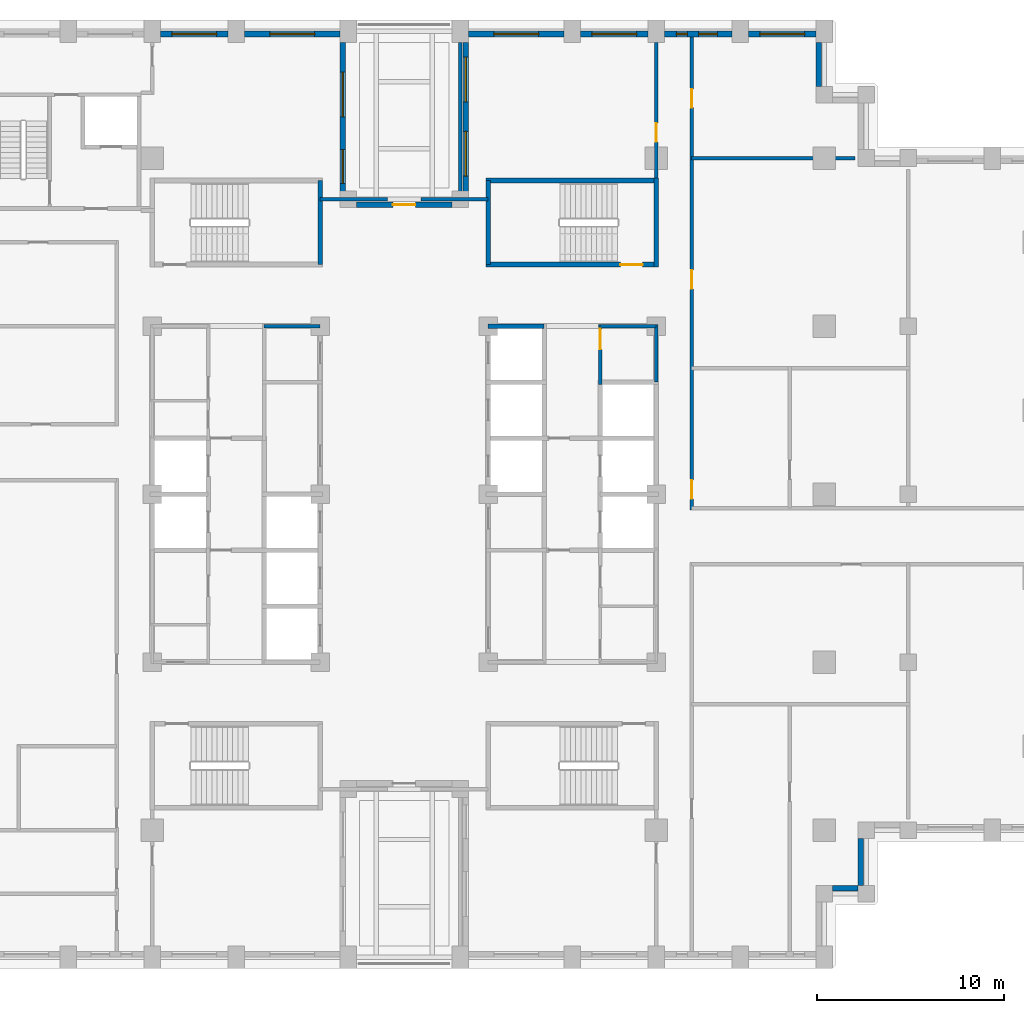
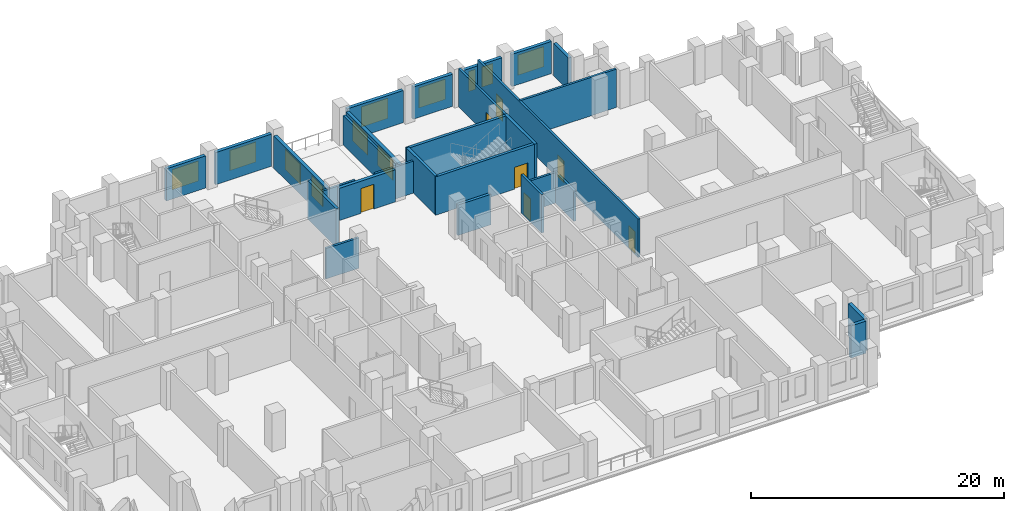
# One storey, part 8 of 13: 28 walls, 11 windows, 7 doors, 18 openings.
"""IFC4 building model written with IfcOpenShell, lengths in metres."""

from ifc_helpers import new_model, si_unit, direction, frame, frame_2d, origin, place, context, subcontext, project, spatial, rectangle, extrude, material, layer, layer_set, type_object, element, fill, save


model = new_model("IFC4")

# Units and contexts
model_context = context("Model", 3, precision=1e-05, world=origin(), true_north=direction((0.0, 1.0)))
body_context = subcontext(model_context, "Body", "Model", "MODEL_VIEW")
ifc_project = project(units=[si_unit("LENGTHUNIT", "METRE"), si_unit("AREAUNIT", "SQUARE_METRE"), si_unit("VOLUMEUNIT", "CUBIC_METRE"), si_unit("PLANEANGLEUNIT", "RADIAN"), si_unit("MASSUNIT", "GRAM", prefix="KILO")], contexts=[model_context])

# Site, building, storey
site_placement = place(None, origin())
site = spatial("IfcSite", under=ifc_project, at=site_placement, CompositionType="ELEMENT")
building_placement = place(site_placement, origin())
building = spatial("IfcBuilding", under=site, at=building_placement, Name="Corbelhall Arena Tower", CompositionType="ELEMENT")
storey_placement = place(building_placement, frame((0.0, 0.0, 68.0)))
storey = spatial("IfcBuildingStorey", under=building, at=storey_placement, Name="L09", CompositionType="ELEMENT", Elevation=68.0)

# Walls
ifc_material_1 = material(Name="Precast concrete C40/50 with granite facing", Category="masonry")
ifc_layer_1 = layer(ifc_material_1, 0.300048828125)
ifc_layer_set_1 = layer_set([ifc_layer_1], Name="EV-IW1 Infill panel 300")
wall_type_1 = type_object("IfcWallType", Name="EV-IW1 Infill panel 300", PredefinedType="SOLIDWALL", material=ifc_layer_set_1)
wall_1_placement = place(storey_placement, frame((22.949951171875, -21.10009765625, 0.0), z_axis=(0.0, 0.0, 1.0), x_axis=(1.0, 0.0, 0.0)))
element("IfcWall", 1, at=wall_1_placement, inside=storey, type_object=wall_type_1, Name="Infill panel IW1", PredefinedType="SOLIDWALL", context=body_context, shape_type="SweptSolid", body=[
    extrude(rectangle(XDim=1.35009765625, YDim=0.300048828125, at=frame_2d((0.675048828125, 0.0))), origin(), (0.0, 0.0, 1.0), 3.10009765625),
])
wall_2_placement = place(storey_placement, frame((24.449951171875, -20.949951171875, 0.0), z_axis=(0.0, 0.0, 1.0), x_axis=(0.0, 1.0, 0.0)))
element("IfcWall", 2, at=wall_2_placement, inside=storey, type_object=wall_type_1, Name="Infill panel IW1", PredefinedType="SOLIDWALL", context=body_context, shape_type="SweptSolid", body=[
    extrude(rectangle(XDim=2.5, YDim=0.300048828125, at=frame_2d((1.25, 0.0))), origin(), (0.0, 0.0, 1.0), 3.10009765625),
])
wall_3_placement = place(storey_placement, frame((22.199951171875, 21.85009765625, 0.0), z_axis=(0.0, 0.0, 1.0), x_axis=(0.0, 1.0, 0.0)))
element("IfcWall", 3, at=wall_3_placement, inside=storey, type_object=wall_type_1, Name="Infill panel IW1", PredefinedType="SOLIDWALL", context=body_context, shape_type="SweptSolid", body=[
    extrude(rectangle(XDim=2.349853515625, YDim=0.300048828125, at=frame_2d((1.1748046875, 0.0))), origin(), (0.0, 0.0, 1.0), 3.10009765625),
])

# Wall, opening, window
wall_4_placement = place(storey_placement, frame((22.050048828125, 24.64990234375, 0.0), z_axis=(0.0, 0.0, 1.0), x_axis=(-1.0, 0.0, 0.0)))
wall_4 = element("IfcWall", 4, at=wall_4_placement, inside=storey, type_object=wall_type_1, Name="Infill panel IW1", PredefinedType="SOLIDWALL", context=body_context, shape_type="SweptSolid", body=[
    extrude(rectangle(XDim=3.60009765625, YDim=0.300048828125, at=frame_2d((1.800048828125, 0.0))), origin(), (0.0, 0.0, 1.0), 3.10009765625),
])
opening_1_placement = place(wall_4_placement, frame((0.60009765625, 0.0, 0.800048828125)))
opening_1 = element("IfcOpeningElement", 5, at=opening_1_placement, cuts=wall_4, Name="Opening WN1", PredefinedType="OPENING", context=body_context, shape_type="SweptSolid", body=[
    extrude(rectangle(XDim=2.39990234375, YDim=1.949951171875, at=frame_2d((1.199951171875, 0.97509765625))), frame((0.0, 0.14990234375, 0.0), z_axis=(0.0, -1.0, 0.0), x_axis=(1.0, 0.0, 0.0)), (0.0, 0.0, 1.0), 0.300048828125),
])
ifc_material_2 = material(Name="Aluminium black anodised", Category="aluminium")
window_type_1 = type_object("IfcWindowType", Name="EV-WN1 Office window", PartitioningType="SINGLE_PANEL", PredefinedType="WINDOW", material=ifc_material_2)
window_1_placement = place(opening_1_placement, origin())
window_1 = element("IfcWindow", 6, at=window_1_placement, inside=storey, type_object=window_type_1, Name="Window WN1", OverallHeight=1.949951171875, OverallWidth=2.39990234375, PartitioningType="SINGLE_PANEL", PredefinedType="WINDOW", context=body_context, shape_type="SweptSolid", body=[
    extrude(rectangle(XDim=2.39990234375, YDim=1.949951171875, at=frame_2d((1.199951171875, 0.97509765625))), frame((0.0, 0.030029296875, 0.0), z_axis=(0.0, -1.0, 0.0), x_axis=(1.0, 0.0, 0.0)), (0.0, 0.0, 1.0), 0.06005859375),
])
fill(opening_1, window_1)

# Wall, openings, windows
wall_5_placement = place(storey_placement, frame((17.550048828125, 24.64990234375, 0.0), z_axis=(0.0, 0.0, 1.0), x_axis=(-1.0, 0.0, 0.0)))
wall_5 = element("IfcWall", 7, at=wall_5_placement, inside=storey, type_object=wall_type_1, Name="Infill panel IW1", PredefinedType="SOLIDWALL", context=body_context, shape_type="SweptSolid", body=[
    extrude(rectangle(XDim=3.60009765625, YDim=0.300048828125, at=frame_2d((1.800048828125, 0.0))), origin(), (0.0, 0.0, 1.0), 3.10009765625),
])
opening_2_placement = place(wall_5_placement, frame((0.77490234375, 0.0, 0.800048828125)))
opening_2 = element("IfcOpeningElement", 8, at=opening_2_placement, cuts=wall_5, Name="Opening WN6", PredefinedType="OPENING", context=body_context, shape_type="SweptSolid", body=[
    extrude(rectangle(XDim=1.0, YDim=1.949951171875, at=frame_2d((0.5, 0.97509765625))), frame((0.0, 0.14990234375, 0.0), z_axis=(0.0, -1.0, 0.0), x_axis=(1.0, 0.0, 0.0)), (0.0, 0.0, 1.0), 0.300048828125),
])
opening_3_placement = place(wall_5_placement, frame((2.375, 0.0, 0.800048828125)))
opening_3 = element("IfcOpeningElement", 9, at=opening_3_placement, cuts=wall_5, Name="Opening WN5", PredefinedType="OPENING", context=body_context, shape_type="SweptSolid", body=[
    extrude(rectangle(XDim=0.60009765625, YDim=1.949951171875, at=frame_2d((0.300048828125, 0.97509765625))), frame((0.0, 0.14990234375, 0.0), z_axis=(0.0, -1.0, 0.0), x_axis=(1.0, 0.0, 0.0)), (0.0, 0.0, 1.0), 0.300048828125),
])
window_type_2 = type_object("IfcWindowType", Name="EV-WN5 Office window 600", PartitioningType="SINGLE_PANEL", PredefinedType="WINDOW", material=ifc_material_2)
window_2_placement = place(opening_3_placement, origin())
window_2 = element("IfcWindow", 10, at=window_2_placement, inside=storey, type_object=window_type_2, Name="Window WN5", OverallHeight=1.949951171875, OverallWidth=0.60009765625, PartitioningType="SINGLE_PANEL", PredefinedType="WINDOW", context=body_context, shape_type="SweptSolid", body=[
    extrude(rectangle(XDim=0.60009765625, YDim=1.949951171875, at=frame_2d((0.300048828125, 0.97509765625))), frame((0.0, 0.030029296875, 0.0), z_axis=(0.0, -1.0, 0.0), x_axis=(1.0, 0.0, 0.0)), (0.0, 0.0, 1.0), 0.06005859375),
])
fill(opening_3, window_2)
window_type_3 = type_object("IfcWindowType", Name="EV-WN6 Office window 1000", PartitioningType="SINGLE_PANEL", PredefinedType="WINDOW", material=ifc_material_2)
window_3_placement = place(opening_2_placement, origin())
window_3 = element("IfcWindow", 11, at=window_3_placement, inside=storey, type_object=window_type_3, Name="Window WN6", OverallHeight=1.949951171875, OverallWidth=1.0, PartitioningType="SINGLE_PANEL", PredefinedType="WINDOW", context=body_context, shape_type="SweptSolid", body=[
    extrude(rectangle(XDim=1.0, YDim=1.949951171875, at=frame_2d((0.5, 0.97509765625))), frame((0.0, 0.030029296875, 0.0), z_axis=(0.0, -1.0, 0.0), x_axis=(1.0, 0.0, 0.0)), (0.0, 0.0, 1.0), 0.06005859375),
])
fill(opening_2, window_3)

# Wall, opening, window
wall_6_placement = place(storey_placement, frame((13.050048828125, 24.64990234375, 0.0), z_axis=(0.0, 0.0, 1.0), x_axis=(-1.0, 0.0, 0.0)))
wall_6 = element("IfcWall", 12, at=wall_6_placement, inside=storey, type_object=wall_type_1, Name="Infill panel IW1", PredefinedType="SOLIDWALL", context=body_context, shape_type="SweptSolid", body=[
    extrude(rectangle(XDim=3.60009765625, YDim=0.300048828125, at=frame_2d((1.800048828125, 0.0))), origin(), (0.0, 0.0, 1.0), 3.10009765625),
])
opening_4_placement = place(wall_6_placement, frame((0.60009765625, 0.0, 0.800048828125)))
opening_4 = element("IfcOpeningElement", 13, at=opening_4_placement, cuts=wall_6, Name="Opening WN1", PredefinedType="OPENING", context=body_context, shape_type="SweptSolid", body=[
    extrude(rectangle(XDim=2.39990234375, YDim=1.949951171875, at=frame_2d((1.199951171875, 0.97509765625))), frame((0.0, 0.14990234375, 0.0), z_axis=(0.0, -1.0, 0.0), x_axis=(1.0, 0.0, 0.0)), (0.0, 0.0, 1.0), 0.300048828125),
])
window_4_placement = place(opening_4_placement, origin())
window_4 = element("IfcWindow", 14, at=window_4_placement, inside=storey, type_object=window_type_1, Name="Window WN1", OverallHeight=1.949951171875, OverallWidth=2.39990234375, PartitioningType="SINGLE_PANEL", PredefinedType="WINDOW", context=body_context, shape_type="SweptSolid", body=[
    extrude(rectangle(XDim=2.39990234375, YDim=1.949951171875, at=frame_2d((1.199951171875, 0.97509765625))), frame((0.0, 0.030029296875, 0.0), z_axis=(0.0, -1.0, 0.0), x_axis=(1.0, 0.0, 0.0)), (0.0, 0.0, 1.0), 0.06005859375),
])
fill(opening_4, window_4)

wall_7_placement = place(storey_placement, frame((8.550048828125, 24.64990234375, 0.0), z_axis=(0.0, 0.0, 1.0), x_axis=(-1.0, 0.0, 0.0)))
wall_7 = element("IfcWall", 15, at=wall_7_placement, inside=storey, type_object=wall_type_1, Name="Infill panel IW1", PredefinedType="SOLIDWALL", context=body_context, shape_type="SweptSolid", body=[
    extrude(rectangle(XDim=5.10009765625, YDim=0.300048828125, at=frame_2d((2.550048828125, 0.0))), origin(), (0.0, 0.0, 1.0), 3.10009765625),
])
opening_5_placement = place(wall_7_placement, frame((1.35009765625, 0.0, 0.800048828125)))
opening_5 = element("IfcOpeningElement", 16, at=opening_5_placement, cuts=wall_7, Name="Opening WN1", PredefinedType="OPENING", context=body_context, shape_type="SweptSolid", body=[
    extrude(rectangle(XDim=2.39990234375, YDim=1.949951171875, at=frame_2d((1.199951171875, 0.97509765625))), frame((0.0, 0.14990234375, 0.0), z_axis=(0.0, -1.0, 0.0), x_axis=(1.0, 0.0, 0.0)), (0.0, 0.0, 1.0), 0.300048828125),
])
window_5_placement = place(opening_5_placement, origin())
window_5 = element("IfcWindow", 17, at=window_5_placement, inside=storey, type_object=window_type_1, Name="Window WN1", OverallHeight=1.949951171875, OverallWidth=2.39990234375, PartitioningType="SINGLE_PANEL", PredefinedType="WINDOW", context=body_context, shape_type="SweptSolid", body=[
    extrude(rectangle(XDim=2.39990234375, YDim=1.949951171875, at=frame_2d((1.199951171875, 0.97509765625))), frame((0.0, 0.030029296875, 0.0), z_axis=(0.0, -1.0, 0.0), x_axis=(1.0, 0.0, 0.0)), (0.0, 0.0, 1.0), 0.06005859375),
])
fill(opening_5, window_5)

# Wall, openings, windows
wall_8_placement = place(storey_placement, frame((3.300048828125, 24.199951171875, 0.0), z_axis=(0.0, 0.0, 1.0), x_axis=(0.0, -1.0, 0.0)))
wall_8 = element("IfcWall", 18, at=wall_8_placement, inside=storey, type_object=wall_type_1, Name="Infill panel IW1", PredefinedType="SOLIDWALL", context=body_context, shape_type="SweptSolid", body=[
    extrude(rectangle(XDim=8.349853515625, YDim=0.300048828125, at=frame_2d((4.1748046875, 0.0))), origin(), (0.0, 0.0, 1.0), 3.10009765625),
])
opening_6_placement = place(wall_8_placement, frame((0.78759765625, 0.0, 0.800048828125)))
opening_6 = element("IfcOpeningElement", 19, at=opening_6_placement, cuts=wall_8, Name="Opening WN1", PredefinedType="OPENING", context=body_context, shape_type="SweptSolid", body=[
    extrude(rectangle(XDim=2.39990234375, YDim=1.949951171875, at=frame_2d((1.199951171875, 0.97509765625))), frame((0.0, 0.14990234375, 0.0), z_axis=(0.0, -1.0, 0.0), x_axis=(1.0, 0.0, 0.0)), (0.0, 0.0, 1.0), 0.300048828125),
])
opening_7_placement = place(wall_8_placement, frame((4.762451171875, 0.0, 0.800048828125)))
opening_7 = element("IfcOpeningElement", 20, at=opening_7_placement, cuts=wall_8, Name="Opening WN1", PredefinedType="OPENING", context=body_context, shape_type="SweptSolid", body=[
    extrude(rectangle(XDim=2.39990234375, YDim=1.949951171875, at=frame_2d((1.199951171875, 0.97509765625))), frame((0.0, 0.14990234375, 0.0), z_axis=(0.0, -1.0, 0.0), x_axis=(1.0, 0.0, 0.0)), (0.0, 0.0, 1.0), 0.300048828125),
])
window_6_placement = place(opening_6_placement, origin())
window_6 = element("IfcWindow", 21, at=window_6_placement, inside=storey, type_object=window_type_1, Name="Window WN1", OverallHeight=1.949951171875, OverallWidth=2.39990234375, PartitioningType="SINGLE_PANEL", PredefinedType="WINDOW", context=body_context, shape_type="SweptSolid", body=[
    extrude(rectangle(XDim=2.39990234375, YDim=1.949951171875, at=frame_2d((1.199951171875, 0.97509765625))), frame((0.0, 0.030029296875, 0.0), z_axis=(0.0, -1.0, 0.0), x_axis=(1.0, 0.0, 0.0)), (0.0, 0.0, 1.0), 0.06005859375),
])
fill(opening_6, window_6)
window_7_placement = place(opening_7_placement, origin())
window_7 = element("IfcWindow", 22, at=window_7_placement, inside=storey, type_object=window_type_1, Name="Window WN1", OverallHeight=1.949951171875, OverallWidth=2.39990234375, PartitioningType="SINGLE_PANEL", PredefinedType="WINDOW", context=body_context, shape_type="SweptSolid", body=[
    extrude(rectangle(XDim=2.39990234375, YDim=1.949951171875, at=frame_2d((1.199951171875, 0.97509765625))), frame((0.0, 0.030029296875, 0.0), z_axis=(0.0, -1.0, 0.0), x_axis=(1.0, 0.0, 0.0)), (0.0, 0.0, 1.0), 0.06005859375),
])
fill(opening_7, window_7)

# Wall, opening, door
wall_9_placement = place(storey_placement, frame((-2.550048828125, 15.5, 0.0), z_axis=(0.0, 0.0, 1.0), x_axis=(1.0, 0.0, 0.0)))
wall_9 = element("IfcWall", 23, at=wall_9_placement, inside=storey, type_object=wall_type_1, Name="Infill panel IW1", PredefinedType="SOLIDWALL", context=body_context, shape_type="SweptSolid", body=[
    extrude(rectangle(XDim=5.10009765625, YDim=0.300048828125, at=frame_2d((2.550048828125, 0.0))), origin(), (0.0, 0.0, 1.0), 3.10009765625),
])
opening_8_placement = place(wall_9_placement, frame((1.949951171875, 0.0, 0.0)))
opening_8 = element("IfcOpeningElement", 24, at=opening_8_placement, cuts=wall_9, Name="Opening ED1", PredefinedType="OPENING", context=body_context, shape_type="SweptSolid", body=[
    extrude(rectangle(XDim=1.199951171875, YDim=2.39990234375, at=frame_2d((0.60009765625, 1.199951171875))), frame((0.0, 0.14990234375, 0.0), z_axis=(0.0, -1.0, 0.0), x_axis=(1.0, 0.0, 0.0)), (0.0, 0.0, 1.0), 0.300048828125),
])
door_type_1 = type_object("IfcDoorType", Name="EV-ED1 Terrace door", OperationType="SINGLE_SWING_LEFT", PredefinedType="DOOR", material=ifc_material_2)
door_1_placement = place(opening_8_placement, origin())
door_1 = element("IfcDoor", 25, at=door_1_placement, inside=storey, type_object=door_type_1, Name="Terrace door", OperationType="SINGLE_SWING_LEFT", OverallHeight=2.39990234375, OverallWidth=1.199951171875, PredefinedType="DOOR", context=body_context, shape_type="SweptSolid", body=[
    extrude(rectangle(XDim=1.199951171875, YDim=2.39990234375, at=frame_2d((0.60009765625, 1.199951171875))), frame((0.0, 0.02490234375, 0.0), z_axis=(0.0, -1.0, 0.0), x_axis=(1.0, 0.0, 0.0)), (0.0, 0.0, 1.0), 0.050048828125),
])
fill(opening_8, door_1)

# Wall, openings, windows
wall_10_placement = place(storey_placement, frame((-3.300048828125, 15.85009765625, 0.0), z_axis=(0.0, 0.0, 1.0), x_axis=(0.0, 1.0, 0.0)))
wall_10 = element("IfcWall", 26, at=wall_10_placement, inside=storey, type_object=wall_type_1, Name="Infill panel IW1", PredefinedType="SOLIDWALL", context=body_context, shape_type="SweptSolid", body=[
    extrude(rectangle(XDim=8.349853515625, YDim=0.300048828125, at=frame_2d((4.1748046875, 0.0))), origin(), (0.0, 0.0, 1.0), 3.10009765625),
])
opening_9_placement = place(wall_10_placement, frame((4.362548828125, 0.0, 0.800048828125)))
opening_9 = element("IfcOpeningElement", 27, at=opening_9_placement, cuts=wall_10, Name="Opening WN1", PredefinedType="OPENING", context=body_context, shape_type="SweptSolid", body=[
    extrude(rectangle(XDim=2.39990234375, YDim=1.949951171875, at=frame_2d((1.199951171875, 0.97509765625))), frame((0.0, 0.14990234375, 0.0), z_axis=(0.0, -1.0, 0.0), x_axis=(1.0, 0.0, 0.0)), (0.0, 0.0, 1.0), 0.300048828125),
])
opening_10_placement = place(wall_10_placement, frame((0.800048828125, 0.0, 0.800048828125)))
opening_10 = element("IfcOpeningElement", 28, at=opening_10_placement, cuts=wall_10, Name="Opening WN8", PredefinedType="OPENING", context=body_context, shape_type="SweptSolid", body=[
    extrude(rectangle(XDim=1.800048828125, YDim=1.949951171875, at=frame_2d((0.89990234375, 0.97509765625))), frame((0.0, 0.14990234375, 0.0), z_axis=(0.0, -1.0, 0.0), x_axis=(1.0, 0.0, 0.0)), (0.0, 0.0, 1.0), 0.300048828125),
])
window_8_placement = place(opening_9_placement, origin())
window_8 = element("IfcWindow", 29, at=window_8_placement, inside=storey, type_object=window_type_1, Name="Window WN1", OverallHeight=1.949951171875, OverallWidth=2.39990234375, PartitioningType="SINGLE_PANEL", PredefinedType="WINDOW", context=body_context, shape_type="SweptSolid", body=[
    extrude(rectangle(XDim=2.39990234375, YDim=1.949951171875, at=frame_2d((1.199951171875, 0.97509765625))), frame((0.0, 0.030029296875, 0.0), z_axis=(0.0, -1.0, 0.0), x_axis=(1.0, 0.0, 0.0)), (0.0, 0.0, 1.0), 0.06005859375),
])
fill(opening_9, window_8)
window_type_4 = type_object("IfcWindowType", Name="EV-WN8 Office window 1800", PartitioningType="SINGLE_PANEL", PredefinedType="WINDOW", material=ifc_material_2)
window_9_placement = place(opening_10_placement, origin())
window_9 = element("IfcWindow", 30, at=window_9_placement, inside=storey, type_object=window_type_4, Name="Window WN8", OverallHeight=1.949951171875, OverallWidth=1.800048828125, PartitioningType="SINGLE_PANEL", PredefinedType="WINDOW", context=body_context, shape_type="SweptSolid", body=[
    extrude(rectangle(XDim=1.800048828125, YDim=1.949951171875, at=frame_2d((0.89990234375, 0.97509765625))), frame((0.0, 0.030029296875, 0.0), z_axis=(0.0, -1.0, 0.0), x_axis=(1.0, 0.0, 0.0)), (0.0, 0.0, 1.0), 0.06005859375),
])
fill(opening_10, window_9)

# Wall, opening, window
wall_11_placement = place(storey_placement, frame((-3.449951171875, 24.64990234375, 0.0), z_axis=(0.0, 0.0, 1.0), x_axis=(-1.0, 0.0, 0.0)))
wall_11 = element("IfcWall", 31, at=wall_11_placement, inside=storey, type_object=wall_type_1, Name="Infill panel IW1", PredefinedType="SOLIDWALL", context=body_context, shape_type="SweptSolid", body=[
    extrude(rectangle(XDim=5.10009765625, YDim=0.300048828125, at=frame_2d((2.550048828125, 0.0))), origin(), (0.0, 0.0, 1.0), 3.10009765625),
])
opening_11_placement = place(wall_11_placement, frame((1.35009765625, 0.0, 0.800048828125)))
opening_11 = element("IfcOpeningElement", 32, at=opening_11_placement, cuts=wall_11, Name="Opening WN1", PredefinedType="OPENING", context=body_context, shape_type="SweptSolid", body=[
    extrude(rectangle(XDim=2.39990234375, YDim=1.949951171875, at=frame_2d((1.199951171875, 0.97509765625))), frame((0.0, 0.14990234375, 0.0), z_axis=(0.0, -1.0, 0.0), x_axis=(1.0, 0.0, 0.0)), (0.0, 0.0, 1.0), 0.300048828125),
])
window_10_placement = place(opening_11_placement, origin())
window_10 = element("IfcWindow", 33, at=window_10_placement, inside=storey, type_object=window_type_1, Name="Window WN1", OverallHeight=1.949951171875, OverallWidth=2.39990234375, PartitioningType="SINGLE_PANEL", PredefinedType="WINDOW", context=body_context, shape_type="SweptSolid", body=[
    extrude(rectangle(XDim=2.39990234375, YDim=1.949951171875, at=frame_2d((1.199951171875, 0.97509765625))), frame((0.0, 0.030029296875, 0.0), z_axis=(0.0, -1.0, 0.0), x_axis=(1.0, 0.0, 0.0)), (0.0, 0.0, 1.0), 0.06005859375),
])
fill(opening_11, window_10)

wall_12_placement = place(storey_placement, frame((-9.449951171875, 24.64990234375, 0.0), z_axis=(0.0, 0.0, 1.0), x_axis=(-1.0, 0.0, 0.0)))
wall_12 = element("IfcWall", 34, at=wall_12_placement, inside=storey, type_object=wall_type_1, Name="Infill panel IW1", PredefinedType="SOLIDWALL", context=body_context, shape_type="SweptSolid", body=[
    extrude(rectangle(XDim=3.60009765625, YDim=0.300048828125, at=frame_2d((1.800048828125, 0.0))), origin(), (0.0, 0.0, 1.0), 3.10009765625),
])
opening_12_placement = place(wall_12_placement, frame((0.60009765625, 0.0, 0.800048828125)))
opening_12 = element("IfcOpeningElement", 35, at=opening_12_placement, cuts=wall_12, Name="Opening WN1", PredefinedType="OPENING", context=body_context, shape_type="SweptSolid", body=[
    extrude(rectangle(XDim=2.39990234375, YDim=1.949951171875, at=frame_2d((1.199951171875, 0.97509765625))), frame((0.0, 0.14990234375, 0.0), z_axis=(0.0, -1.0, 0.0), x_axis=(1.0, 0.0, 0.0)), (0.0, 0.0, 1.0), 0.300048828125),
])
window_11_placement = place(opening_12_placement, origin())
window_11 = element("IfcWindow", 36, at=window_11_placement, inside=storey, type_object=window_type_1, Name="Window WN1", OverallHeight=1.949951171875, OverallWidth=2.39990234375, PartitioningType="SINGLE_PANEL", PredefinedType="WINDOW", context=body_context, shape_type="SweptSolid", body=[
    extrude(rectangle(XDim=2.39990234375, YDim=1.949951171875, at=frame_2d((1.199951171875, 0.97509765625))), frame((0.0, 0.030029296875, 0.0), z_axis=(0.0, -1.0, 0.0), x_axis=(1.0, 0.0, 0.0)), (0.0, 0.0, 1.0), 0.06005859375),
])
fill(opening_12, window_11)

# Wall, opening, door
ifc_material_3 = material(Name="Gypsum board on steel stud, acoustic", Category="steel")
ifc_layer_2 = layer(ifc_material_3, 0.199951171875)
ifc_layer_set_2 = layer_set([ifc_layer_2], Name="IN-W-DM200")
wall_type_2 = type_object("IfcWallType", Name="IN-W-DM200", PredefinedType="PARTITIONING", material=ifc_layer_set_2)
wall_13_placement = place(storey_placement, frame((13.5, 16.675048828125, 0.0), z_axis=(0.0, 0.0, 1.0), x_axis=(0.0, 1.0, 0.0)))
wall_13 = element("IfcWall", 37, at=wall_13_placement, inside=storey, type_object=wall_type_2, Name="Partition 030", PredefinedType="PARTITIONING", context=body_context, shape_type="SweptSolid", body=[
    extrude(rectangle(XDim=7.52490234375, YDim=0.199951171875, at=frame_2d((3.762451171875, 0.0))), origin(), (0.0, 0.0, 1.0), 3.699951171875),
])
opening_13_placement = place(wall_13_placement, frame((2.199951171875, 0.0, 0.0)))
opening_13 = element("IfcOpeningElement", 38, at=opening_13_placement, cuts=wall_13, Name="Opening 01024", PredefinedType="OPENING", context=body_context, shape_type="SweptSolid", body=[
    extrude(rectangle(XDim=1.0, YDim=2.10009765625, at=frame_2d((0.5, 1.050048828125))), frame((0.0, 0.10009765625, 0.0), z_axis=(0.0, -1.0, 0.0), x_axis=(1.0, 0.0, 0.0)), (0.0, 0.0, 1.0), 0.199951171875),
])
ifc_material_4 = material(Name="Steel door set", Category="steel")
door_type_2 = type_object("IfcDoorType", Name="IN-D-SW100", OperationType="NOTDEFINED", PredefinedType="DOOR", material=ifc_material_4)
door_2_placement = place(opening_13_placement, origin())
door_2 = element("IfcDoor", 39, at=door_2_placement, inside=storey, type_object=door_type_2, Name="Door 024", OperationType="SINGLE_SWING_LEFT", OverallHeight=2.10009765625, OverallWidth=1.0, PredefinedType="DOOR", context=body_context, shape_type="SweptSolid", body=[
    extrude(rectangle(XDim=1.0, YDim=2.10009765625, at=frame_2d((0.5, 1.050048828125))), frame((0.0, 0.02490234375, 0.0), z_axis=(0.0, -1.0, 0.0), x_axis=(1.0, 0.0, 0.0)), (0.0, 0.0, 1.0), 0.050048828125),
])
fill(opening_13, door_2)

# Wall, openings, doors
wall_14_placement = place(storey_placement, frame((15.39990234375, 24.5, 0.0), z_axis=(0.0, 0.0, 1.0), x_axis=(0.0, -1.0, 0.0)))
wall_14 = element("IfcWall", 40, at=wall_14_placement, inside=storey, type_object=wall_type_2, Name="Partition 035", PredefinedType="PARTITIONING", context=body_context, shape_type="SweptSolid", body=[
    extrude(rectangle(XDim=25.35009765625, YDim=0.199951171875, at=frame_2d((12.675048828125, 0.0))), origin(), (0.0, 0.0, 1.0), 3.699951171875),
])
opening_14_placement = place(wall_14_placement, frame((23.75, 0.0, 0.0)))
opening_14 = element("IfcOpeningElement", 41, at=opening_14_placement, cuts=wall_14, Name="Opening 01033", PredefinedType="OPENING", context=body_context, shape_type="SweptSolid", body=[
    extrude(rectangle(XDim=1.0, YDim=2.10009765625, at=frame_2d((0.5, 1.050048828125))), frame((0.0, 0.10009765625, 0.0), z_axis=(0.0, -1.0, 0.0), x_axis=(1.0, 0.0, 0.0)), (0.0, 0.0, 1.0), 0.199951171875),
])
opening_15_placement = place(wall_14_placement, frame((12.5, 0.0, 0.0)))
opening_15 = element("IfcOpeningElement", 42, at=opening_15_placement, cuts=wall_14, Name="Opening 01035", PredefinedType="OPENING", context=body_context, shape_type="SweptSolid", body=[
    extrude(rectangle(XDim=1.0, YDim=2.10009765625, at=frame_2d((0.5, 1.050048828125))), frame((0.0, 0.10009765625, 0.0), z_axis=(0.0, -1.0, 0.0), x_axis=(1.0, 0.0, 0.0)), (0.0, 0.0, 1.0), 0.199951171875),
])
opening_16_placement = place(wall_14_placement, frame((2.800048828125, 0.0, 0.0)))
opening_16 = element("IfcOpeningElement", 43, at=opening_16_placement, cuts=wall_14, Name="Opening 01036", PredefinedType="OPENING", context=body_context, shape_type="SweptSolid", body=[
    extrude(rectangle(XDim=1.0, YDim=2.10009765625, at=frame_2d((0.5, 1.050048828125))), frame((0.0, 0.10009765625, 0.0), z_axis=(0.0, -1.0, 0.0), x_axis=(1.0, 0.0, 0.0)), (0.0, 0.0, 1.0), 0.199951171875),
])
door_3_placement = place(opening_14_placement, origin())
door_3 = element("IfcDoor", 44, at=door_3_placement, inside=storey, type_object=door_type_2, Name="Door 033", OperationType="SINGLE_SWING_RIGHT", OverallHeight=2.10009765625, OverallWidth=1.0, PredefinedType="DOOR", context=body_context, shape_type="SweptSolid", body=[
    extrude(rectangle(XDim=1.0, YDim=2.10009765625, at=frame_2d((0.5, 1.050048828125))), frame((0.0, 0.02490234375, 0.0), z_axis=(0.0, -1.0, 0.0), x_axis=(1.0, 0.0, 0.0)), (0.0, 0.0, 1.0), 0.050048828125),
])
fill(opening_14, door_3)
door_4_placement = place(opening_15_placement, origin())
door_4 = element("IfcDoor", 45, at=door_4_placement, inside=storey, type_object=door_type_2, Name="Door 035", OperationType="SINGLE_SWING_RIGHT", OverallHeight=2.10009765625, OverallWidth=1.0, PredefinedType="DOOR", context=body_context, shape_type="SweptSolid", body=[
    extrude(rectangle(XDim=1.0, YDim=2.10009765625, at=frame_2d((0.5, 1.050048828125))), frame((0.0, 0.02490234375, 0.0), z_axis=(0.0, -1.0, 0.0), x_axis=(1.0, 0.0, 0.0)), (0.0, 0.0, 1.0), 0.050048828125),
])
fill(opening_15, door_4)
door_5_placement = place(opening_16_placement, origin())
door_5 = element("IfcDoor", 46, at=door_5_placement, inside=storey, type_object=door_type_2, Name="Door 036", OperationType="SINGLE_SWING_LEFT", OverallHeight=2.10009765625, OverallWidth=1.0, PredefinedType="DOOR", context=body_context, shape_type="SweptSolid", body=[
    extrude(rectangle(XDim=1.0, YDim=2.10009765625, at=frame_2d((0.5, 1.050048828125))), frame((0.0, 0.02490234375, 0.0), z_axis=(0.0, -1.0, 0.0), x_axis=(1.0, 0.0, 0.0)), (0.0, 0.0, 1.0), 0.050048828125),
])
fill(opening_16, door_5)

# Walls
wall_15_placement = place(storey_placement, frame((15.39990234375, 18.0, 0.0), z_axis=(0.0, 0.0, 1.0), x_axis=(1.0, 0.0, 0.0)))
element("IfcWall", 47, at=wall_15_placement, inside=storey, type_object=wall_type_2, Name="Partition 036", PredefinedType="PARTITIONING", context=body_context, shape_type="SweptSolid", body=[
    extrude(rectangle(XDim=8.75, YDim=0.199951171875, at=frame_2d((4.375, 0.0))), origin(), (0.0, 0.0, 1.0), 3.699951171875),
])
ifc_layer_3 = layer(ifc_material_3, 0.199951171875)
ifc_layer_set_3 = layer_set([ifc_layer_3], Name="IN-W-DM200 under beam 617 mm")
wall_type_3 = type_object("IfcWallType", Name="IN-W-DM200 under beam 617 mm", PredefinedType="PARTITIONING", material=ifc_layer_set_3)
for number, where, z_axis, x_axis, name in (
    (48, (-4.5, 15.800048828125, 0.0), (0.0, 0.0, 1.0), (1.0, 0.0, 0.0), "Partition 023"),
    (49, (0.89990234375, 15.800048828125, 0.0), (0.0, 0.0, 1.0), (1.0, 0.0, 0.0), "Partition 025"),
):
    element("IfcWall", number, at=place(storey_placement, frame(where, z_axis=z_axis, x_axis=x_axis)), inside=storey, type_object=wall_type_3, Name=name, PredefinedType="PARTITIONING", context=body_context, shape_type="SweptSolid", body=[
        extrude(rectangle(XDim=3.60009765625, YDim=0.199951171875, at=frame_2d((1.800048828125, 0.0))), origin(), (0.0, 0.0, 1.0), 3.082763671875),
    ])
ifc_layer_4 = layer(ifc_material_3, 0.199951171875)
ifc_layer_set_4 = layer_set([ifc_layer_4], Name="IN-W-DM200 under beam 846 mm")
wall_type_4 = type_object("IfcWallType", Name="IN-W-DM200 under beam 846 mm", PredefinedType="PARTITIONING", material=ifc_layer_set_4)
wall_16_placement = place(storey_placement, frame((3.0, 24.199951171875, 0.0), z_axis=(0.0, 0.0, 1.0), x_axis=(0.0, -1.0, 0.0)))
element("IfcWall", 50, at=wall_16_placement, inside=storey, type_object=wall_type_4, Name="Partition 027", PredefinedType="PARTITIONING", context=body_context, shape_type="SweptSolid", body=[
    extrude(rectangle(XDim=8.39990234375, YDim=0.199951171875, at=frame_2d((4.199951171875, 0.0))), origin(), (0.0, 0.0, 1.0), 2.854248046875),
])

# Wall, opening, door
ifc_material_5 = material(Name="Concrete block wall", Category="concrete")
ifc_layer_5 = layer(ifc_material_5, 0.199951171875)
ifc_layer_set_5 = layer_set([ifc_layer_5], Name="IN-W-RS200")
wall_type_5 = type_object("IfcWallType", Name="IN-W-RS200", PredefinedType="SOLIDWALL", material=ifc_layer_set_5)
wall_17_placement = place(storey_placement, frame((10.5, 9.10009765625, 0.0), z_axis=(0.0, 0.0, 1.0), x_axis=(0.0, -1.0, 0.0)))
wall_17 = element("IfcWall", 51, at=wall_17_placement, inside=storey, type_object=wall_type_5, Name="Partition 061", PredefinedType="SOLIDWALL", context=body_context, shape_type="SweptSolid", body=[
    extrude(rectangle(XDim=3.22509765625, YDim=0.199951171875, at=frame_2d((1.612548828125, 0.0))), origin(), (0.0, 0.0, 1.0), 3.699951171875),
])
opening_17_placement = place(wall_17_placement, frame((0.25, 0.0, 0.0)))
opening_17 = element("IfcOpeningElement", 52, at=opening_17_placement, cuts=wall_17, Name="Opening 01014", PredefinedType="OPENING", context=body_context, shape_type="SweptSolid", body=[
    extrude(rectangle(XDim=1.10009765625, YDim=2.10009765625, at=frame_2d((0.550048828125, 1.050048828125))), frame((0.0, 0.10009765625, 0.0), z_axis=(0.0, -1.0, 0.0), x_axis=(1.0, 0.0, 0.0)), (0.0, 0.0, 1.0), 0.199951171875),
])
door_type_3 = type_object("IfcDoorType", Name="IN-D-FD110", OperationType="NOTDEFINED", PredefinedType="DOOR", material=ifc_material_4)
door_6_placement = place(opening_17_placement, origin())
door_6 = element("IfcDoor", 53, at=door_6_placement, inside=storey, type_object=door_type_3, Name="Door 014", OperationType="SINGLE_SWING_LEFT", OverallHeight=2.10009765625, OverallWidth=1.10009765625, PredefinedType="DOOR", context=body_context, shape_type="SweptSolid", body=[
    extrude(rectangle(XDim=1.10009765625, YDim=2.10009765625, at=frame_2d((0.550048828125, 1.050048828125))), frame((0.0, 0.02490234375, 0.0), z_axis=(0.0, -1.0, 0.0), x_axis=(1.0, 0.0, 0.0)), (0.0, 0.0, 1.0), 0.050048828125),
])
fill(opening_17, door_6)

# Walls
ifc_layer_6 = layer(ifc_material_5, 0.199951171875)
ifc_layer_set_6 = layer_set([ifc_layer_6], Name="IN-W-RS200 under beam 762 mm")
wall_type_6 = type_object("IfcWallType", Name="IN-W-RS200 under beam 762 mm", PredefinedType="SOLIDWALL", material=ifc_layer_set_6)
for number, where, z_axis, x_axis, name in (
    (54, (-7.5, 9.0, 0.0), (0.0, 0.0, 1.0), (1.0, 0.0, 0.0), "Partition 053"),
    (55, (10.5, 9.0, 0.0), (0.0, 0.0, 1.0), (1.0, 0.0, 0.0), "Partition 060"),
):
    element("IfcWall", number, at=place(storey_placement, frame(where, z_axis=z_axis, x_axis=x_axis)), inside=storey, type_object=wall_type_6, Name=name, PredefinedType="SOLIDWALL", context=body_context, shape_type="SweptSolid", body=[
        extrude(rectangle(XDim=3.0, YDim=0.199951171875, at=frame_2d((1.5, 0.0))), origin(), (0.0, 0.0, 1.0), 2.93798828125),
    ])
wall_18_placement = place(storey_placement, frame((13.5, 9.10009765625, 0.0), z_axis=(0.0, 0.0, 1.0), x_axis=(0.0, -1.0, 0.0)))
element("IfcWall", 56, at=wall_18_placement, inside=storey, type_object=wall_type_6, Name="Partition 063", PredefinedType="SOLIDWALL", context=body_context, shape_type="SweptSolid", body=[
    extrude(rectangle(XDim=3.10009765625, YDim=0.199951171875, at=frame_2d((1.550048828125, 0.0))), origin(), (0.0, 0.0, 1.0), 2.93798828125),
])
ifc_material_6 = material(Name="Concrete C40/50", Category="concrete")
ifc_layer_7 = layer(ifc_material_6, 0.25)
ifc_layer_set_7 = layer_set([ifc_layer_7], Name="IN-W-SH250 under beam 762 mm")
wall_type_7 = type_object("IfcWallType", Name="IN-W-SH250 under beam 762 mm", PredefinedType="SOLIDWALL", material=ifc_layer_set_7)
wall_19_placement = place(storey_placement, frame((4.5, 9.0, 0.0), z_axis=(0.0, 0.0, 1.0), x_axis=(1.0, 0.0, 0.0)))
element("IfcWall", 57, at=wall_19_placement, inside=storey, type_object=wall_type_7, Name="Shaft wall 078", PredefinedType="SOLIDWALL", context=body_context, shape_type="SweptSolid", body=[
    extrude(rectangle(XDim=3.0, YDim=0.25, at=frame_2d((1.5, 0.0))), origin(), (0.0, 0.0, 1.0), 2.93798828125),
])
ifc_layer_8 = layer(ifc_material_6, 0.25)
ifc_layer_set_8 = layer_set([ifc_layer_8], Name="IN-W-ST250")
wall_type_8 = type_object("IfcWallType", Name="IN-W-ST250", PredefinedType="SOLIDWALL", material=ifc_layer_set_8)
wall_20_placement = place(storey_placement, frame((-4.5, 16.800048828125, 0.0), z_axis=(0.0, 0.0, 1.0), x_axis=(0.0, -1.0, 0.0)))
element("IfcWall", 58, at=wall_20_placement, inside=storey, type_object=wall_type_8, Name="Shaft wall 097", PredefinedType="SOLIDWALL", context=body_context, shape_type="SweptSolid", body=[
    extrude(rectangle(XDim=4.5, YDim=0.25, at=frame_2d((2.25, 0.0))), origin(), (0.0, 0.0, 1.0), 3.699951171875),
])

# Wall, opening, door
wall_21_placement = place(storey_placement, frame((4.375, 12.300048828125, 0.0), z_axis=(0.0, 0.0, 1.0), x_axis=(1.0, 0.0, 0.0)))
wall_21 = element("IfcWall", 59, at=wall_21_placement, inside=storey, type_object=wall_type_8, Name="Shaft wall 099", PredefinedType="SOLIDWALL", context=body_context, shape_type="SweptSolid", body=[
    extrude(rectangle(XDim=9.125, YDim=0.25, at=frame_2d((4.5625, 0.0))), origin(), (0.0, 0.0, 1.0), 3.699951171875),
])
opening_18_placement = place(wall_21_placement, frame((7.199951171875, 0.0, 0.0)))
opening_18 = element("IfcOpeningElement", 60, at=opening_18_placement, cuts=wall_21, Name="Opening 01017", PredefinedType="OPENING", context=body_context, shape_type="SweptSolid", body=[
    extrude(rectangle(XDim=1.199951171875, YDim=2.10009765625, at=frame_2d((0.60009765625, 1.050048828125))), frame((0.0, 0.125, 0.0), z_axis=(0.0, -1.0, 0.0), x_axis=(1.0, 0.0, 0.0)), (0.0, 0.0, 1.0), 0.25),
])
door_type_4 = type_object("IfcDoorType", Name="IN-D-ST120", OperationType="NOTDEFINED", PredefinedType="DOOR", material=ifc_material_4)
door_7_placement = place(opening_18_placement, origin())
door_7 = element("IfcDoor", 61, at=door_7_placement, inside=storey, type_object=door_type_4, Name="Door 017", OperationType="SINGLE_SWING_RIGHT", OverallHeight=2.10009765625, OverallWidth=1.199951171875, PredefinedType="DOOR", context=body_context, shape_type="SweptSolid", body=[
    extrude(rectangle(XDim=1.199951171875, YDim=2.10009765625, at=frame_2d((0.60009765625, 1.050048828125))), frame((0.0, 0.02490234375, 0.0), z_axis=(0.0, -1.0, 0.0), x_axis=(1.0, 0.0, 0.0)), (0.0, 0.0, 1.0), 0.050048828125),
])
fill(opening_18, door_7)

# Walls
wall_22_placement = place(storey_placement, frame((4.375, 16.800048828125, 0.0), z_axis=(0.0, 0.0, 1.0), x_axis=(1.0, 0.0, 0.0)))
element("IfcWall", 62, at=wall_22_placement, inside=storey, type_object=wall_type_8, Name="Shaft wall 100", PredefinedType="SOLIDWALL", context=body_context, shape_type="SweptSolid", body=[
    extrude(rectangle(XDim=9.125, YDim=0.25, at=frame_2d((4.5625, 0.0))), origin(), (0.0, 0.0, 1.0), 3.699951171875),
])
wall_23_placement = place(storey_placement, frame((4.5, 12.300048828125, 0.0), z_axis=(0.0, 0.0, 1.0), x_axis=(0.0, 1.0, 0.0)))
element("IfcWall", 63, at=wall_23_placement, inside=storey, type_object=wall_type_8, Name="Shaft wall 102", PredefinedType="SOLIDWALL", context=body_context, shape_type="SweptSolid", body=[
    extrude(rectangle(XDim=4.5, YDim=0.25, at=frame_2d((2.25, 0.0))), origin(), (0.0, 0.0, 1.0), 3.699951171875),
])
wall_24_placement = place(storey_placement, frame((13.5, 12.175048828125, 0.0), z_axis=(0.0, 0.0, 1.0), x_axis=(0.0, 1.0, 0.0)))
element("IfcWall", 64, at=wall_24_placement, inside=storey, type_object=wall_type_8, Name="Shaft wall 106", PredefinedType="SOLIDWALL", context=body_context, shape_type="SweptSolid", body=[
    extrude(rectangle(XDim=4.75, YDim=0.25, at=frame_2d((2.375, 0.0))), origin(), (0.0, 0.0, 1.0), 3.699951171875),
])

save(model, "model.ifc")
